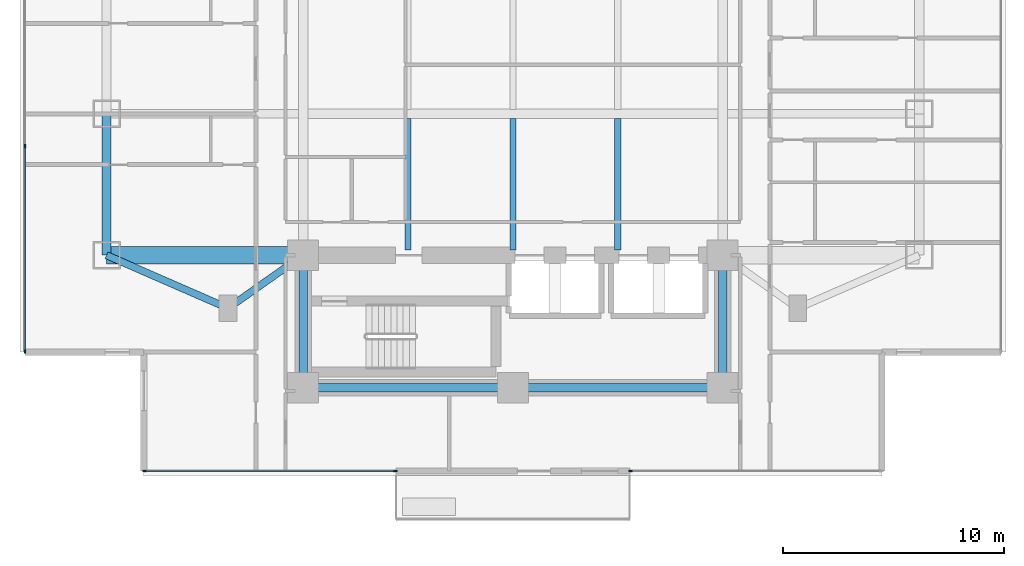
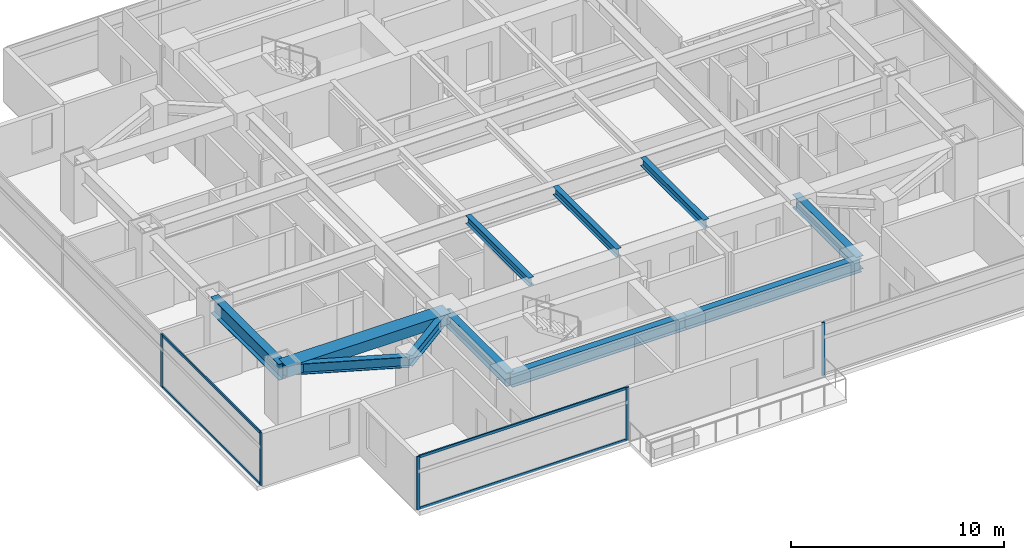
# One storey, part 2 of 25: 11 beams, 9 members, 3 elements without a shape of their own.
"""IFC4 building model written with IfcOpenShell, lengths in metres."""

import ifcopenshell
import ifcopenshell.guid

model = None  # the IFC model being written
_history = None  # IfcOwnerHistory: only IFC2X3 demands one
_inside = {}  # id of a spatial element -> (the spatial element, [elements in it])
_under = {}  # id of a project, library or spatial element -> (it, [spatial elements below it])
_declared = {}  # id of a project -> (the project, [libraries it declares])
_typed = {}  # id of a type object -> (the type object, [elements of that type])
_made_of = {}  # id of a material, layer set ... -> (it, [elements and type objects made of it])


def new_model(schema):
    """Start an empty IFC model of exactly this schema.

    Asked for "IFC4X3", IfcOpenShell would pick the latest addendum, in which some entities
    have other attributes; the version numbers below select the first issue.
    IFC2X3 requires an IfcOwnerHistory on every rooted entity: one is made here for all.
    """
    global model, _history
    if schema == "IFC4X3":
        model = ifcopenshell.file(schema_version=(4, 3, 0, 0))
    else:
        model = ifcopenshell.file(schema=schema)
    _inside.clear()
    _under.clear()
    _declared.clear()
    _typed.clear()
    _made_of.clear()
    _history = None
    if model.schema == "IFC2X3":
        org = make("IfcOrganization", Name="unknown")
        user = make(
            "IfcPersonAndOrganization",
            ThePerson=make("IfcPerson", FamilyName="unknown"),
            TheOrganization=org,
        )
        app = make(
            "IfcApplication",
            ApplicationDeveloper=org,
            Version="unknown",
            ApplicationFullName="unknown",
            ApplicationIdentifier="unknown",
        )
        _history = make(
            "IfcOwnerHistory",
            OwningUser=user,
            OwningApplication=app,
            ChangeAction="ADDED",
            CreationDate=0,
        )
    return model


def make(cls, **values):
    """One entity of the class cls with the attributes given. An attribute that is None is left unset."""
    return model.create_entity(
        cls, **{name: value for name, value in values.items() if value is not None}
    )


def rooted(cls, **values):
    """An entity with a GlobalId (a new one), such as an element, a storey or a relation."""
    return make(cls, GlobalId=ifcopenshell.guid.new(), OwnerHistory=_history, **values)


def si_unit(unit_type, name, prefix=None):
    """IfcSIUnit, for example si_unit("LENGTHUNIT", "METRE", prefix="MILLI")."""
    return make("IfcSIUnit", UnitType=unit_type, Prefix=prefix, Name=name)


def assignment(units):
    """IfcUnitAssignment: the units of a project."""
    return None if units is None else make("IfcUnitAssignment", Units=units)


def point(xyz):
    """IfcCartesianPoint."""
    return None if xyz is None else make("IfcCartesianPoint", Coordinates=xyz)


def direction(xyz):
    """IfcDirection."""
    return None if xyz is None else make("IfcDirection", DirectionRatios=xyz)


def frame(location, z_axis=None, x_axis=None):
    """IfcAxis2Placement3D, a coordinate frame: its origin and axes. An axis left out is left unset."""
    return make(
        "IfcAxis2Placement3D",
        Location=point(location),
        Axis=direction(z_axis),
        RefDirection=direction(x_axis),
    )


def frame_2d(location, x_axis=None):
    """IfcAxis2Placement2D, a coordinate frame in the plane: its origin and x axis."""
    return make(
        "IfcAxis2Placement2D", Location=point(location), RefDirection=direction(x_axis)
    )


def origin():
    """The frame at (0, 0, 0) with its axes left unset."""
    return frame((0.0, 0.0, 0.0))


def origin_2d():
    """The frame at (0, 0) in the plane with its x axis left unset."""
    return frame_2d((0.0, 0.0))


def place(relative_to, where):
    """IfcLocalPlacement: puts the frame where relative to a parent placement (None: the world)."""
    return make(
        "IfcLocalPlacement", PlacementRelTo=relative_to, RelativePlacement=where
    )


def context(
    kind, dimensions, precision=None, world=None, true_north=None, identifier=None
):
    """IfcGeometricRepresentationContext, for example the 3D "Model" context."""
    return make(
        "IfcGeometricRepresentationContext",
        ContextIdentifier=identifier,
        ContextType=kind,
        CoordinateSpaceDimension=dimensions,
        Precision=precision,
        WorldCoordinateSystem=world,
        TrueNorth=true_north,
    )


def subcontext(parent, identifier, kind, view, scale=None):
    """IfcGeometricRepresentationSubContext, for example "Body" below "Model"."""
    return make(
        "IfcGeometricRepresentationSubContext",
        ContextIdentifier=identifier,
        ContextType=kind,
        ParentContext=parent,
        TargetScale=scale,
        TargetView=view,
    )


def project(units=None, contexts=None):
    """IfcProject with its units and contexts."""
    return rooted(
        "IfcProject",
        Name="project",
        RepresentationContexts=contexts,
        UnitsInContext=assignment(units),
    )


def spatial(cls, under=None, at=None, **own):
    """A site, building, storey or space (cls), placed at a placement, below another one or the project."""
    s = rooted(cls, ObjectPlacement=at, **own)
    if under is not None:
        _under.setdefault(under.id(), (under, []))[1].append(s)
    return s


def profile(cls, at=None, kind="AREA", **sizes):
    """A parametric profile (cls). Its sizes go by their IFC names, for example OverallWidth=200.0."""
    return make(cls, ProfileType=kind, Position=at, **sizes)


def rectangle(**sizes):
    """IfcRectangleProfileDef."""
    return profile("IfcRectangleProfileDef", **sizes)


def i_section(**sizes):
    """IfcIShapeProfileDef."""
    return profile("IfcIShapeProfileDef", **sizes)


def extrude(swept, where, along, depth):
    """IfcExtrudedAreaSolid: the profile swept, set in the frame where, extruded along a direction by depth."""
    return make(
        "IfcExtrudedAreaSolid",
        SweptArea=swept,
        Position=where,
        ExtrudedDirection=direction(along),
        Depth=depth,
    )


def shape(context_of_items, identifier, shape_type, items):
    """IfcShapeRepresentation: the items that make up one representation, for example the "Body"."""
    return make(
        "IfcShapeRepresentation",
        ContextOfItems=context_of_items,
        RepresentationIdentifier=identifier,
        RepresentationType=shape_type,
        Items=items,
    )


def material(Name=None, Category=None):
    """IfcMaterial."""
    return make("IfcMaterial", Name=Name, Category=Category)


def material_profile(
    of_material, cross_section, Name=None, Category=None, Priority=None
):
    """IfcMaterialProfile: a cross section and its material."""
    return make(
        "IfcMaterialProfile",
        Name=Name,
        Material=of_material,
        Profile=cross_section,
        Priority=Priority,
        Category=Category,
    )


def profile_set(profiles, Name=None, composite=None):
    """IfcMaterialProfileSet."""
    return make(
        "IfcMaterialProfileSet",
        Name=Name,
        MaterialProfiles=profiles,
        CompositeProfile=composite,
    )


def made_of(thing, what):
    """Note that an element or type object is made of a material, layer set ...; save() writes the relation."""
    if what is not None:
        _made_of.setdefault(what.id(), (what, []))[1].append(thing)
    return thing


def type_object(cls, material=None, **own):
    """A type object (cls), such as IfcWallType, which elements share."""
    return made_of(rooted(cls, **own), material)


def element(
    cls,
    number,
    at=None,
    inside=None,
    cuts=None,
    type_object=None,
    material=None,
    context=None,
    identifier="Body",
    shape_type=None,
    held_by="IfcProductDefinitionShape",
    body=None,
    shapes=None,
    **own,
):
    """One element of the class cls, such as IfcWall. Its Tag is "e" and its number.

    at: its placement. inside: the storey or other place that contains it. cuts: it is an
    opening in that element (IfcRelVoidsElement). A single representation is given by context,
    identifier, shape_type and body (its items); several are given by shapes. held_by: the class
    of the entity that holds the representations. save() writes the other relations.
    """
    e = rooted(cls, Tag="e%d" % number, ObjectPlacement=at, **own)
    if body is not None:
        shapes = [shape(context, identifier, shape_type, body)]
    if shapes is not None:
        e.Representation = make(held_by, Representations=shapes)
    if inside is not None:
        _inside.setdefault(inside.id(), (inside, []))[1].append(e)
    if cuts is not None:
        rooted(
            "IfcRelVoidsElement", RelatingBuildingElement=cuts, RelatedOpeningElement=e
        )
    if type_object is not None:
        _typed.setdefault(type_object.id(), (type_object, []))[1].append(e)
    return made_of(e, material)


def aggregate(whole, parts):
    """IfcRelAggregates: a whole, such as a stair, and the parts it consists of."""
    return rooted("IfcRelAggregates", RelatingObject=whole, RelatedObjects=parts)


def save(model, path):
    """Write the relations noted so far, then the file.

    IfcRelAggregates (storeys below a building ...), IfcRelContainedInSpatialStructure (elements
    in a storey), IfcRelDefinesByType, IfcRelAssociatesMaterial and IfcRelDeclares: one each for
    every whole, place, type object, material and project.
    """
    for whole, parts in _under.values():
        aggregate(whole, parts)
    for where, things in _inside.values():
        rooted(
            "IfcRelContainedInSpatialStructure",
            RelatedElements=things,
            RelatingStructure=where,
        )
    for kind, things in _typed.values():
        rooted("IfcRelDefinesByType", RelatedObjects=things, RelatingType=kind)
    for what, things in _made_of.values():
        rooted("IfcRelAssociatesMaterial", RelatedObjects=things, RelatingMaterial=what)
    for by, libraries in _declared.values():
        rooted("IfcRelDeclares", RelatingContext=by, RelatedDefinitions=libraries)
    model.write(path)


model = new_model("IFC4")

# Units and contexts
model_context = context("Model", 3, precision=1e-05, world=origin(), true_north=direction((0.0, 1.0)))
body_context = subcontext(model_context, "Body", "Model", "MODEL_VIEW")
ifc_project = project(units=[si_unit("LENGTHUNIT", "METRE"), si_unit("AREAUNIT", "SQUARE_METRE"), si_unit("VOLUMEUNIT", "CUBIC_METRE"), si_unit("PLANEANGLEUNIT", "RADIAN"), si_unit("MASSUNIT", "GRAM", prefix="KILO")], contexts=[model_context])

# Site, building, storey
site_placement = place(None, origin())
site = spatial("IfcSite", under=ifc_project, at=site_placement, CompositionType="ELEMENT")
building_placement = place(site_placement, origin())
building = spatial("IfcBuilding", under=site, at=building_placement, Name="Mirazonda Arch Towers", CompositionType="ELEMENT")
storey_placement = place(building_placement, frame((0.0, 0.0, 35.60009765625)))
storey = spatial("IfcBuildingStorey", under=building, at=storey_placement, Name="L09", CompositionType="ELEMENT", Elevation=35.60009765625)

# Beams
ifc_material_1 = material(Name="Steel ASTM A992 Grade 50", Category="steel")
ifc_material_profile_1 = material_profile(ifc_material_1, i_section(OverallWidth=0.41796875, OverallDepth=0.927001953125, WebThickness=0.019287109375, FlangeThickness=0.031982421875, at=origin_2d()), Name="W36X231")
ifc_profile_set_1 = profile_set([ifc_material_profile_1], Name="Steel ASTM A992 Grade 50")
beam_type_1 = type_object("IfcBeamType", Name="BM-EXT-W36X231", PredefinedType="USERDEFINED", material=ifc_profile_set_1)
beam_1_placement = place(storey_placement, frame((2.10009765625, 18.39990234375, 2.596435546875), z_axis=(0.0, 1.0, 0.0), x_axis=(-1.0, 0.0, 0.0)))
element("IfcBeam", 1, at=beam_1_placement, inside=storey, type_object=beam_type_1, Name="L09 Floor Beam BM-T1-L09-NS-W-18", ObjectType="GIRDER", PredefinedType="USERDEFINED", context=body_context, shape_type="SweptSolid", body=[
    extrude(i_section(OverallWidth=0.41796875, OverallDepth=0.927001953125, WebThickness=0.019287109375, FlangeThickness=0.031982421875, at=origin_2d()), origin(), (0.0, 0.0, 1.0), 6.400146484375),
])
ifc_material_profile_2 = material_profile(ifc_material_1, i_section(OverallWidth=0.280029296875, OverallDepth=0.462890625, WebThickness=0.0107421875, FlangeThickness=0.017333984375, at=origin_2d()), Name="W18X76")
ifc_profile_set_2 = profile_set([ifc_material_profile_2], Name="Steel ASTM A992 Grade 50")
beam_type_2 = type_object("IfcBeamType", Name="BM-INT-W18X76", PredefinedType="JOIST", material=ifc_profile_set_2)
for number, where, z_axis, x_axis, name in (
    (2, (15.75, 18.639892578125, 2.828369140625), (0.0, 1.0, 0.0), (-1.0, 0.0, 0.0), "L09 Floor Beam BM-T1-L09-J-157-18"),
    (3, (20.5, 18.639892578125, 2.828369140625), (0.0, 1.0, 0.0), (-1.0, 0.0, 0.0), "L09 Floor Beam BM-T1-L09-J-205-18"),
    (4, (25.25, 18.639892578125, 2.828369140625), (0.0, 1.0, 0.0), (-1.0, 0.0, 0.0), "L09 Floor Beam BM-T1-L09-J-252-18"),
):
    element("IfcBeam", number, at=place(storey_placement, frame(where, z_axis=z_axis, x_axis=x_axis)), inside=storey, type_object=beam_type_2, Name=name, PredefinedType="JOIST", context=body_context, shape_type="SweptSolid", body=[
        extrude(i_section(OverallWidth=0.280029296875, OverallDepth=0.462890625, WebThickness=0.0107421875, FlangeThickness=0.017333984375, at=origin_2d()), origin(), (0.0, 0.0, 1.0), 5.95263671875),
    ])
ifc_material_profile_3 = material_profile(ifc_material_1, i_section(OverallWidth=0.324951171875, OverallDepth=0.615966796875, WebThickness=0.013916015625, FlangeThickness=0.021484375, at=origin_2d()), Name="W24X117")
ifc_profile_set_3 = profile_set([ifc_material_profile_3], Name="Steel ASTM A992 Grade 50")
beam_type_3 = type_object("IfcBeamType", Name="BM-INT-W24X117", PredefinedType="BEAM", material=ifc_profile_set_3)
beam_2_placement = place(storey_placement, frame((7.60009765625, 16.0, 2.751953125), z_axis=(0.816971114901, 0.576678591087, 0.0), x_axis=(-0.576678591087, 0.816971114901, 0.0)))
element("IfcBeam", 5, at=beam_2_placement, inside=storey, type_object=beam_type_3, Name="L09 Floor Beam BM-T1-L09-PL-SW1", PredefinedType="BEAM", context=body_context, shape_type="SweptSolid", body=[
    extrude(i_section(OverallWidth=0.324951171875, OverallDepth=0.615966796875, WebThickness=0.013916015625, FlangeThickness=0.021484375, at=origin_2d()), origin(), (0.0, 0.0, 1.0), 4.16162109375),
])
beam_3_placement = place(storey_placement, frame((7.60009765625, 16.0, 2.751953125), z_axis=(-0.916545343703, 0.399930785183, 0.0), x_axis=(-0.399930785183, -0.916545343703, 0.0)))
element("IfcBeam", 6, at=beam_3_placement, inside=storey, type_object=beam_type_3, Name="L09 Floor Beam BM-T1-L09-PL-SW2", PredefinedType="BEAM", context=body_context, shape_type="SweptSolid", body=[
    extrude(i_section(OverallWidth=0.324951171875, OverallDepth=0.615966796875, WebThickness=0.013916015625, FlangeThickness=0.021484375, at=origin_2d()), origin(), (0.0, 0.0, 1.0), 6.000732421875),
])
ifc_material_profile_4 = material_profile(ifc_material_1, i_section(OverallWidth=0.381103515625, OverallDepth=0.77294921875, WebThickness=0.0166015625, FlangeThickness=0.027099609375, at=origin_2d()), Name="W30X173")
ifc_profile_set_4 = profile_set([ifc_material_profile_4], Name="Steel ASTM A992 Grade 50")
beam_type_4 = type_object("IfcBeamType", Name="BM-INT-W30X173", PredefinedType="USERDEFINED", material=ifc_profile_set_4)
for number, where, z_axis, x_axis, name in (
    (7, (11.0, 12.39990234375, 2.67333984375), (1.0, 0.0, 0.0), (0.0, 1.0, 0.0), "L09 Floor Beam BM-T1-L09-CS1"),
    (8, (20.5, 12.39990234375, 2.67333984375), (1.0, 0.0, 0.0), (0.0, 1.0, 0.0), "L09 Floor Beam BM-T1-L09-CS2"),
):
    element("IfcBeam", number, at=place(storey_placement, frame(where, z_axis=z_axis, x_axis=x_axis)), inside=storey, type_object=beam_type_4, Name=name, ObjectType="GIRDER", PredefinedType="USERDEFINED", context=body_context, shape_type="SweptSolid", body=[
        extrude(i_section(OverallWidth=0.381103515625, OverallDepth=0.77294921875, WebThickness=0.0166015625, FlangeThickness=0.027099609375, at=origin_2d()), origin(), (0.0, 0.0, 1.0), 9.5),
    ])
for number, where, z_axis, x_axis, name in (
    (9, (11.0, 12.39990234375, 2.67333984375), (0.0, 1.0, 0.0), (-1.0, 0.0, 0.0), "L09 Floor Beam BM-T1-L09-CSW"),
    (10, (30.0, 12.39990234375, 2.67333984375), (0.0, 1.0, 0.0), (-1.0, 0.0, 0.0), "L09 Floor Beam BM-T1-L09-CSE"),
):
    element("IfcBeam", number, at=place(storey_placement, frame(where, z_axis=z_axis, x_axis=x_axis)), inside=storey, type_object=beam_type_4, Name=name, ObjectType="GIRDER", PredefinedType="USERDEFINED", context=body_context, shape_type="SweptSolid", body=[
        extrude(i_section(OverallWidth=0.381103515625, OverallDepth=0.77294921875, WebThickness=0.0166015625, FlangeThickness=0.027099609375, at=origin_2d()), origin(), (0.0, 0.0, 1.0), 6.0),
    ])
ifc_material_2 = material(Name="Concrete C60/75", Category="concrete")
ifc_material_profile_5 = material_profile(ifc_material_2, rectangle(XDim=0.800048828125, YDim=0.60009765625, at=origin_2d()), Name="RCCB800x600")
ifc_profile_set_5 = profile_set([ifc_material_profile_5], Name="Concrete C60/75")
beam_type_5 = type_object("IfcBeamType", Name="CB-INT-RCCB800x600", PredefinedType="SPANDREL", material=ifc_profile_set_5)
beam_4_placement = place(storey_placement, frame((2.10009765625, 18.39990234375, 2.760009765625), z_axis=(1.0, 0.0, 0.0), x_axis=(0.0, 1.0, 0.0)))
element("IfcBeam", 11, at=beam_4_placement, inside=storey, type_object=beam_type_5, Name="L09 Floor Beam CBC-T1-L09-SW", PredefinedType="SPANDREL", context=body_context, shape_type="SweptSolid", body=[
    extrude(rectangle(XDim=0.800048828125, YDim=0.60009765625, at=origin_2d()), origin(), (0.0, 0.0, 1.0), 8.89990234375),
])

# Curtain wall, member
ifc_material_3 = material(Name="Anodised Aluminium and Low-E Glass", Category="aluminium")
curtain_wall_type = type_object("IfcCurtainWallType", Name="CW-HTL-UNIT", PredefinedType="NOTDEFINED", material=ifc_material_3)
curtain_wall_1_placement = place(storey_placement, origin())
curtain_wall_1 = element("IfcCurtainWall", 12, at=curtain_wall_1_placement, inside=storey, type_object=curtain_wall_type, Name="L09 Curtain Wall CW-L09-T1-SA", PredefinedType="NOTDEFINED")
ifc_material_4 = material(Name="Anodised Aluminium Alloy", Category="aluminium")
ifc_material_profile_6 = material_profile(ifc_material_4, rectangle(XDim=0.074951171875, YDim=0.1650390625, at=origin_2d()), Name="ALU-MULL-75x165")
ifc_profile_set_6 = profile_set([ifc_material_profile_6], Name="Anodised Aluminium Alloy")
member_type_1 = type_object("IfcMemberType", Name="MULL-CW-HTL-UNIT", PredefinedType="MULLION", material=ifc_profile_set_6)
member_1_placement = place(storey_placement, frame((25.827392578125, 8.6279296875, 0.0), z_axis=(0.0, 0.0, 1.0), x_axis=(0.0, -1.0, 0.0)))
member_1 = element("IfcMember", 13, at=member_1_placement, type_object=member_type_1, Name="CW-112 mullion 2", PredefinedType="MULLION", context=body_context, shape_type="SweptSolid", body=[
    extrude(rectangle(XDim=0.074951171875, YDim=0.1650390625, at=origin_2d()), origin(), (0.0, 0.0, 1.0), 3.039794921875),
])
aggregate(curtain_wall_1, [member_1])

# Curtain wall, members
curtain_wall_2_placement = place(storey_placement, origin())
curtain_wall_2 = element("IfcCurtainWall", 14, at=curtain_wall_2_placement, inside=storey, type_object=curtain_wall_type, Name="L09 Curtain Wall CW-L09-T1-SB", PredefinedType="NOTDEFINED")
member_2_placement = place(storey_placement, frame((15.172607421875, 8.6279296875, 0.0), z_axis=(0.0, 0.0, 1.0), x_axis=(0.0, -1.0, 0.0)))
member_2 = element("IfcMember", 15, at=member_2_placement, type_object=member_type_1, Name="CW-112 mullion 1", PredefinedType="MULLION", context=body_context, shape_type="SweptSolid", body=[
    extrude(rectangle(XDim=0.074951171875, YDim=0.1650390625, at=origin_2d()), origin(), (0.0, 0.0, 1.0), 3.039794921875),
])
member_3_placement = place(storey_placement, frame((3.8173828125, 8.6279296875, 0.0), z_axis=(0.0, 0.0, 1.0), x_axis=(0.0, -1.0, 0.0)))
member_3 = element("IfcMember", 16, at=member_3_placement, type_object=member_type_1, Name="CW-112 mullion 2", PredefinedType="MULLION", context=body_context, shape_type="SweptSolid", body=[
    extrude(rectangle(XDim=0.074951171875, YDim=0.1650390625, at=origin_2d()), origin(), (0.0, 0.0, 1.0), 3.039794921875),
])

curtain_wall_3_placement = place(storey_placement, origin())
curtain_wall_3 = element("IfcCurtainWall", 17, at=curtain_wall_3_placement, inside=storey, type_object=curtain_wall_type, Name="L09 T1 W Facade CW-L09-T1-W", PredefinedType="NOTDEFINED")
member_4_placement = place(storey_placement, frame((-1.60009765625, 23.3359375, 0.0), z_axis=(0.0, 0.0, 1.0), x_axis=(1.0, 0.0, 0.0)))
member_4 = element("IfcMember", 18, at=member_4_placement, type_object=member_type_1, Name="CW-112 mullion 3", PredefinedType="MULLION", context=body_context, shape_type="SweptSolid", body=[
    extrude(rectangle(XDim=0.074951171875, YDim=0.1650390625, at=origin_2d()), origin(), (0.0, 0.0, 1.0), 3.039794921875),
])
member_5_placement = place(storey_placement, frame((-1.60009765625, 14.04541015625, 0.0), z_axis=(0.0, 0.0, 1.0), x_axis=(1.0, 0.0, 0.0)))
member_5 = element("IfcMember", 19, at=member_5_placement, type_object=member_type_1, Name="CW-112 mullion 4", PredefinedType="MULLION", context=body_context, shape_type="SweptSolid", body=[
    extrude(rectangle(XDim=0.074951171875, YDim=0.1650390625, at=origin_2d()), origin(), (0.0, 0.0, 1.0), 3.039794921875),
])

# Member
ifc_material_profile_7 = material_profile(ifc_material_4, rectangle(XDim=0.074951171875, YDim=0.14501953125, at=origin_2d()), Name="ALU-TRAN-75x145")
ifc_profile_set_7 = profile_set([ifc_material_profile_7], Name="Anodised Aluminium Alloy")
member_type_2 = type_object("IfcMemberType", Name="TRAN-CW-HTL-UNIT", PredefinedType="USERDEFINED", material=ifc_profile_set_7)
member_6_placement = place(storey_placement, frame((15.135009765625, 8.6279296875, 0.037353515625), z_axis=(-1.0, 0.0, 0.0), x_axis=(0.0, -1.0, 0.0)))
member_6 = element("IfcMember", 20, at=member_6_placement, type_object=member_type_2, Name="CW-112 transom 1.1", ObjectType="TRANSOM", PredefinedType="USERDEFINED", context=body_context, shape_type="SweptSolid", body=[
    extrude(rectangle(XDim=0.074951171875, YDim=0.14501953125, at=origin_2d()), origin(), (0.0, 0.0, 1.0), 11.280029296875),
])

member_7_placement = place(storey_placement, frame((15.135009765625, 8.6279296875, 3.00244140625), z_axis=(-1.0, 0.0, 0.0), x_axis=(0.0, -1.0, 0.0)))
member_7 = element("IfcMember", 21, at=member_7_placement, type_object=member_type_2, Name="CW-112 transom 1.2", ObjectType="TRANSOM", PredefinedType="USERDEFINED", context=body_context, shape_type="SweptSolid", body=[
    extrude(rectangle(XDim=0.074951171875, YDim=0.14501953125, at=origin_2d()), origin(), (0.0, 0.0, 1.0), 11.280029296875),
])

aggregate(curtain_wall_2, [member_2, member_3, member_6, member_7])

member_8_placement = place(storey_placement, frame((-1.60009765625, 23.298583984375, 0.037353515625), z_axis=(0.0, -1.0, 0.0), x_axis=(1.0, 0.0, 0.0)))
member_8 = element("IfcMember", 22, at=member_8_placement, type_object=member_type_2, Name="CW-112 transom 3.1", ObjectType="TRANSOM", PredefinedType="USERDEFINED", context=body_context, shape_type="SweptSolid", body=[
    extrude(rectangle(XDim=0.074951171875, YDim=0.14501953125, at=origin_2d()), origin(), (0.0, 0.0, 1.0), 9.215576171875),
])

member_9_placement = place(storey_placement, frame((-1.60009765625, 23.298583984375, 3.00244140625), z_axis=(0.0, -1.0, 0.0), x_axis=(1.0, 0.0, 0.0)))
member_9 = element("IfcMember", 23, at=member_9_placement, type_object=member_type_2, Name="CW-112 transom 3.2", ObjectType="TRANSOM", PredefinedType="USERDEFINED", context=body_context, shape_type="SweptSolid", body=[
    extrude(rectangle(XDim=0.074951171875, YDim=0.14501953125, at=origin_2d()), origin(), (0.0, 0.0, 1.0), 9.215576171875),
])

aggregate(curtain_wall_3, [member_4, member_5, member_8, member_9])

save(model, "model.ifc")
